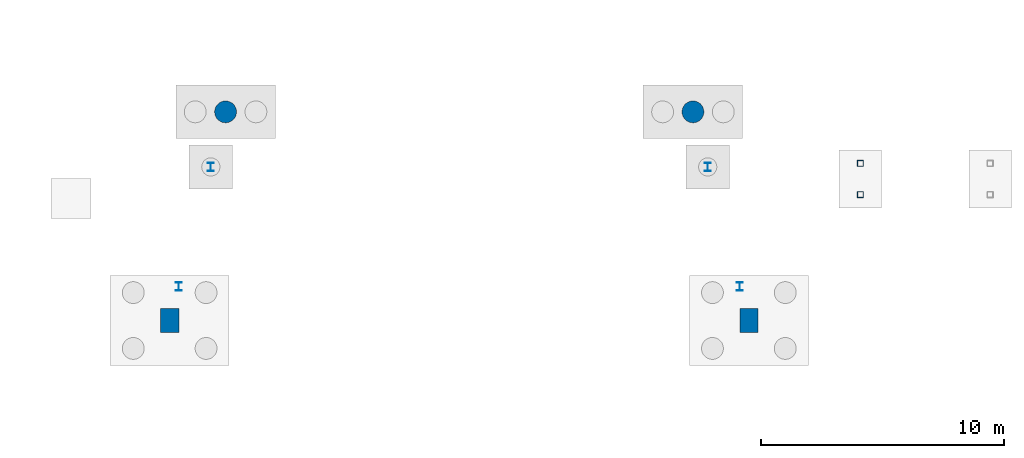
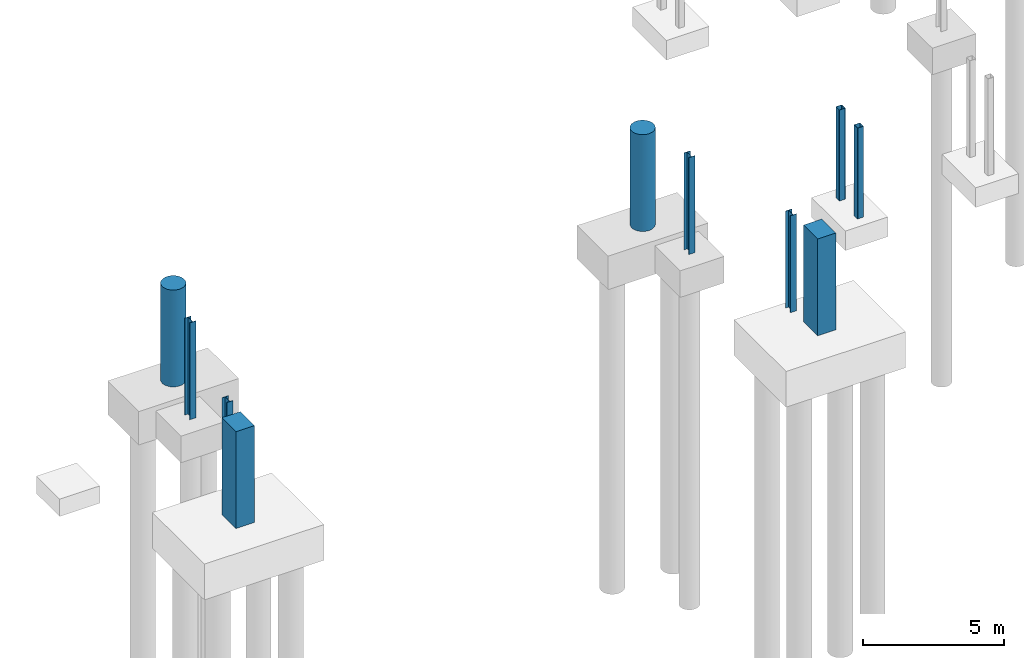
# One storey, part 11 of 43: 10 columns.
"""IFC4 building model written with IfcOpenShell, lengths in metres."""

from ifc_helpers import new_model, si_unit, direction, frame, origin, origin_2d, place, context, subcontext, project, spatial, rectangle, hollow_rectangle, circle, i_section, extrude, material, material_profile, profile_set, type_object, element, save


model = new_model("IFC4")

# Units and contexts
model_context = context("Model", 3, precision=1e-05, world=origin(), true_north=direction((0.0, 1.0)))
body_context = subcontext(model_context, "Body", "Model", "MODEL_VIEW")
ifc_project = project(units=[si_unit("LENGTHUNIT", "METRE"), si_unit("AREAUNIT", "SQUARE_METRE"), si_unit("VOLUMEUNIT", "CUBIC_METRE"), si_unit("PLANEANGLEUNIT", "RADIAN"), si_unit("MASSUNIT", "GRAM", prefix="KILO")], contexts=[model_context])

# Site, building, storey
site_placement = place(None, origin())
site = spatial("IfcSite", under=ifc_project, at=site_placement, CompositionType="ELEMENT")
building_placement = place(site_placement, origin())
building = spatial("IfcBuilding", under=site, at=building_placement, Name="Vespera Passage Community Centre", CompositionType="ELEMENT")
storey_placement = place(building_placement, frame((0.0, 0.0, -4.199951171875)))
storey = spatial("IfcBuildingStorey", under=building, at=storey_placement, Name="B1", CompositionType="ELEMENT", Elevation=-4.199951171875)

# Columns
ifc_material_1 = material(Name="Steel ASTM A500 Grade C", Category="steel")
ifc_material_profile_1 = material_profile(ifc_material_1, hollow_rectangle(XDim=0.25390625, YDim=0.25390625, WallThickness=0.01171875, InnerFilletRadius=0.01171875, OuterFilletRadius=0.023681640625, at=origin_2d()), Name="HSS254X254X12.7")
ifc_profile_set_1 = profile_set([ifc_material_profile_1], Name="Steel ASTM A500 Grade C")
column_type_1 = type_object("IfcColumnType", Name="COL-HSS254E", PredefinedType="COLUMN", material=ifc_profile_set_1)
for number, where, z_axis, x_axis, name in (
    (1, (94.52490234375, 26.155029296875, 0.0), (0.0, 0.0, 1.0), (1.0, 0.0, 0.0), "ST-CRT-01 Base Column B1"),
    (2, (94.52490234375, 27.445068359375, 0.0), (0.0, 0.0, 1.0), (1.0, 0.0, 0.0), "ST-CRT-01 Base Column B2"),
):
    element("IfcColumn", number, at=place(storey_placement, frame(where, z_axis=z_axis, x_axis=x_axis)), inside=storey, type_object=column_type_1, Name=name, PredefinedType="COLUMN", context=body_context, shape_type="SweptSolid", body=[
        extrude(hollow_rectangle(XDim=0.25390625, YDim=0.25390625, WallThickness=0.01171875, InnerFilletRadius=0.01171875, OuterFilletRadius=0.023681640625, at=origin_2d()), origin(), (0.0, 0.0, 1.0), 3.93994140625),
    ])
ifc_material_2 = material(Name="Concrete f'c 45 MPa", Category="concrete")
ifc_material_profile_2 = material_profile(ifc_material_2, rectangle(XDim=0.75, YDim=1.0, at=origin_2d()), Name="RC1000X750")
ifc_profile_set_2 = profile_set([ifc_material_profile_2], Name="Concrete f'c 45 MPa")
column_type_2 = type_object("IfcColumnType", Name="COL-RC1000X750E", PredefinedType="COLUMN", material=ifc_profile_set_2)
for number, where, z_axis, x_axis, name in (
    (3, (66.068359375, 20.970703125, 0.0), (0.0, 0.0, 1.0), (1.0, 0.0, 0.0), "B1 Column V4-O17"),
    (4, (89.931640625, 20.970703125, 0.0), (0.0, 0.0, 1.0), (1.0, 0.0, 0.0), "B1 Column V4-O19"),
):
    element("IfcColumn", number, at=place(storey_placement, frame(where, z_axis=z_axis, x_axis=x_axis)), inside=storey, type_object=column_type_2, Name=name, PredefinedType="COLUMN", context=body_context, shape_type="SweptSolid", body=[
        extrude(rectangle(XDim=0.75, YDim=1.0, at=origin_2d()), origin(), (0.0, 0.0, 1.0), 4.199951171875),
    ])
ifc_material_3 = material(Name="Concrete f'c 45 MPa", Category="concrete")
ifc_material_profile_3 = material_profile(ifc_material_3, circle(Radius=0.449951171875, at=origin_2d()), Name="RC900DIA")
ifc_profile_set_3 = profile_set([ifc_material_profile_3], Name="Concrete f'c 45 MPa")
column_type_3 = type_object("IfcColumnType", Name="COL-RC900DIAE", PredefinedType="COLUMN", material=ifc_profile_set_3)
for number, where, z_axis, x_axis, name in (
    (5, (68.371826171875, 29.567626953125, 0.0), (0.0, 0.0, 1.0), (1.0, 0.0, 0.0), "B1 Column V4-I17"),
    (6, (87.628173828125, 29.567626953125, 0.0), (0.0, 0.0, 1.0), (1.0, 0.0, 0.0), "B1 Column V4-I19"),
):
    element("IfcColumn", number, at=place(storey_placement, frame(where, z_axis=z_axis, x_axis=x_axis)), inside=storey, type_object=column_type_3, Name=name, PredefinedType="COLUMN", context=body_context, shape_type="SweptSolid", body=[
        extrude(circle(Radius=0.449951171875, at=origin_2d()), origin(), (0.0, 0.0, 1.0), 4.199951171875),
    ])
ifc_material_4 = material(Name="Steel ASTM A992 Grade 50", Category="steel")
ifc_material_profile_4 = material_profile(ifc_material_4, i_section(OverallWidth=0.2548828125, OverallDepth=0.356689453125, WebThickness=0.010498046875, FlangeThickness=0.018310546875, FilletRadius=0.01513671875, at=origin_2d()), Name="W14X68")
ifc_profile_set_4 = profile_set([ifc_material_profile_4], Name="Steel ASTM A992 Grade 50")
column_type_4 = type_object("IfcColumnType", Name="COL-W14X68I", PredefinedType="COLUMN", material=ifc_profile_set_4)
for number, where, z_axis, x_axis, name in (
    (7, (67.763671875, 27.297607421875, 0.0), (0.0, 0.0, 1.0), (1.0, 0.0, 0.0), "B1 Column TRANC-I170"),
    (8, (88.236328125, 27.297607421875, 0.0), (0.0, 0.0, 1.0), (1.0, 0.0, 0.0), "B1 Column TRANC-I190"),
    (9, (66.443603515625, 22.371337890625, 0.0), (0.0, 0.0, 1.0), (1.0, 0.0, 0.0), "B1 Column TRANC-O170"),
    (10, (89.556396484375, 22.371337890625, 0.0), (0.0, 0.0, 1.0), (1.0, 0.0, 0.0), "B1 Column TRANC-O190"),
):
    element("IfcColumn", number, at=place(storey_placement, frame(where, z_axis=z_axis, x_axis=x_axis)), inside=storey, type_object=column_type_4, Name=name, PredefinedType="COLUMN", context=body_context, shape_type="SweptSolid", body=[
        extrude(i_section(OverallWidth=0.2548828125, OverallDepth=0.356689453125, WebThickness=0.010498046875, FlangeThickness=0.018310546875, FilletRadius=0.01513671875, at=origin_2d()), origin(), (0.0, 0.0, 1.0), 4.199951171875),
    ])

save(model, "model.ifc")
